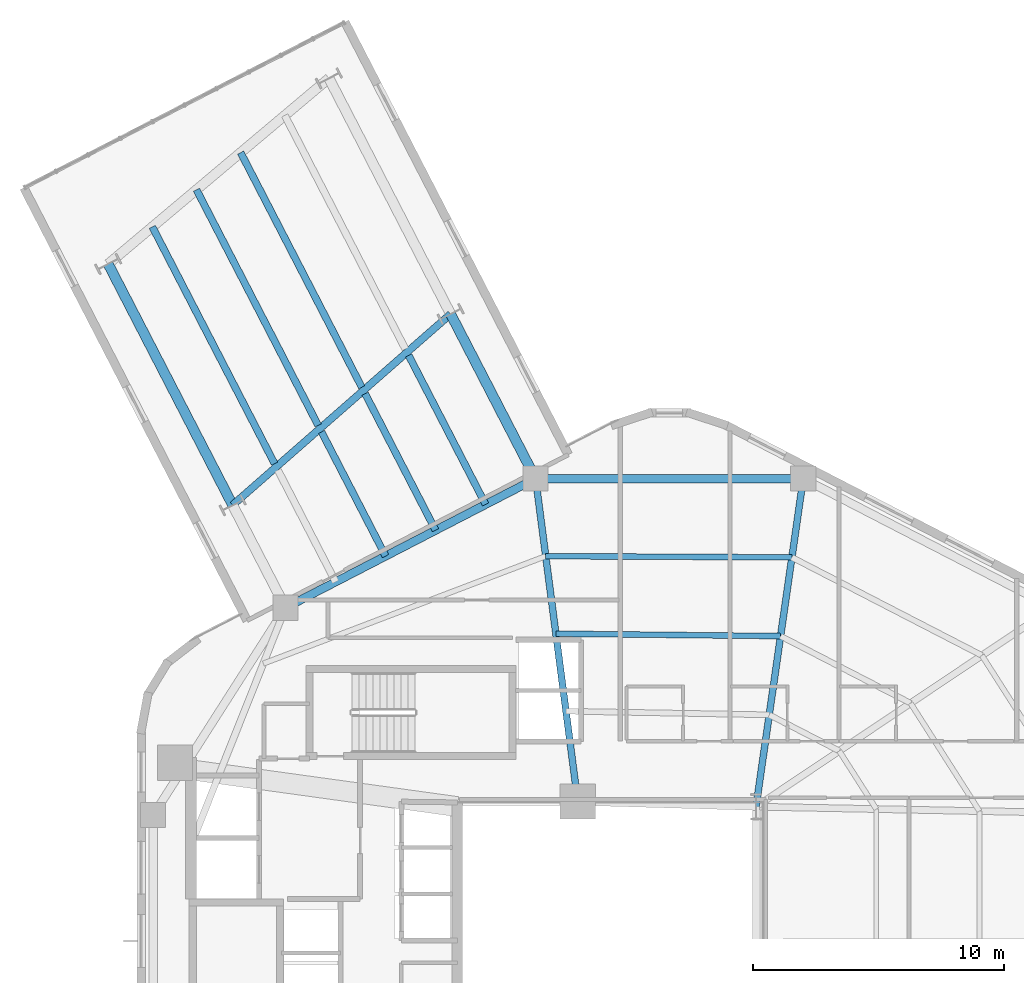
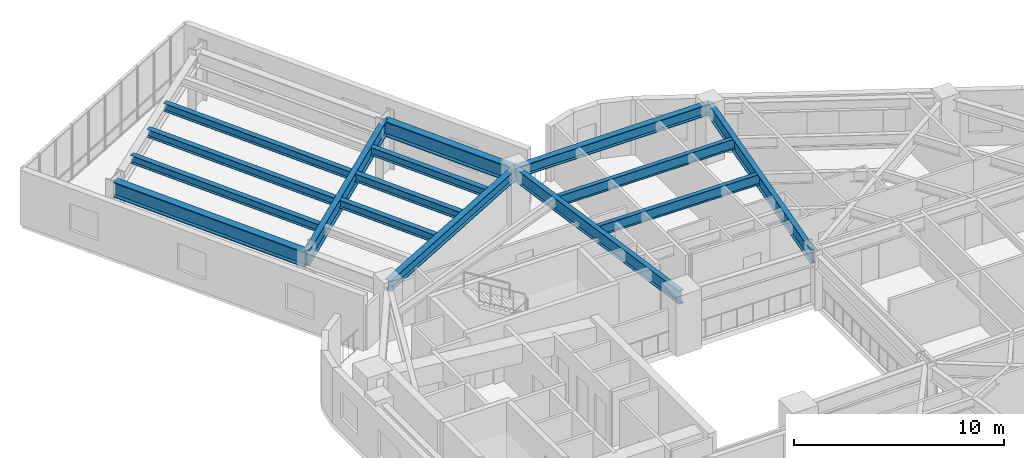
# One storey, part 2 of 11: 15 beams.
"""IFC4 building model written with IfcOpenShell, lengths in metres."""

from ifc_helpers import new_model, si_unit, direction, frame, origin, origin_2d, place, context, subcontext, project, spatial, i_section, extrude, material, material_profile, profile_set, type_object, element, save


model = new_model("IFC4")

# Units and contexts
model_context = context("Model", 3, precision=1e-05, world=origin(), true_north=direction((0.0, 1.0)))
body_context = subcontext(model_context, "Body", "Model", "MODEL_VIEW")
ifc_project = project(units=[si_unit("LENGTHUNIT", "METRE"), si_unit("AREAUNIT", "SQUARE_METRE"), si_unit("VOLUMEUNIT", "CUBIC_METRE"), si_unit("PLANEANGLEUNIT", "RADIAN"), si_unit("MASSUNIT", "GRAM", prefix="KILO"), si_unit("THERMODYNAMICTEMPERATUREUNIT", "KELVIN"), si_unit("POWERUNIT", "WATT")], contexts=[model_context])

# Site, building, storey
site_placement = place(None, origin())
site = spatial("IfcSite", under=ifc_project, at=site_placement, CompositionType="ELEMENT")
building_placement = place(site_placement, origin())
building = spatial("IfcBuilding", under=site, at=building_placement, Name="Skarre Station Tower", CompositionType="ELEMENT")
storey_placement = place(building_placement, frame((0.0, 0.0, 146.39990234375)))
storey = spatial("IfcBuildingStorey", under=building, at=storey_placement, Name="L39", CompositionType="ELEMENT", Elevation=146.39990234375)

# Beams
ifc_material = material(Name="Steel ASTM A992 Grade 50", Category="steel")
ifc_material_profile_1 = material_profile(ifc_material, i_section(OverallWidth=0.26806640625, OverallDepth=0.77001953125, WebThickness=0.01611328125, FlangeThickness=0.02490234375, at=origin_2d()), Name="Steel ASTM A992 Grade 50")
ifc_profile_set_1 = profile_set([ifc_material_profile_1], Name="Steel ASTM A992 Grade 50")
beam_type_1 = type_object("IfcBeamType", Name="Steel Beam W30X132", PredefinedType="BEAM", material=ifc_profile_set_1)
beam_1_placement = place(storey_placement, frame((39.449951171875, 29.35009765625, 2.80517578125), z_axis=(0.142480121776, 0.989797663616, 0.0), x_axis=(-0.989797663616, 0.142480121776, 0.0)))
element("IfcBeam", 1, at=beam_1_placement, inside=storey, type_object=beam_type_1, Name="L39 Radial Floor Girder F0C2", PredefinedType="BEAM", context=body_context, shape_type="SweptSolid", body=[
    extrude(i_section(OverallWidth=0.26806640625, OverallDepth=0.77001953125, WebThickness=0.01611328125, FlangeThickness=0.02490234375, at=origin_2d()), origin(), (0.0, 0.0, 1.0), 13.20263671875),
])
beam_2_placement = place(storey_placement, frame((32.35009765625, 29.550048828125, 2.80517578125), z_axis=(-0.129545878778, 0.991573429097, 0.0), x_axis=(-0.991573429097, -0.129545878778, 0.0)))
element("IfcBeam", 2, at=beam_2_placement, inside=storey, type_object=beam_type_1, Name="L39 Radial Floor Girder F1C1", PredefinedType="BEAM", context=body_context, shape_type="SweptSolid", body=[
    extrude(i_section(OverallWidth=0.26806640625, OverallDepth=0.77001953125, WebThickness=0.01611328125, FlangeThickness=0.02490234375, at=origin_2d()), origin(), (0.0, 0.0, 1.0), 12.977294921875),
])
ifc_material_profile_2 = material_profile(ifc_material, i_section(OverallWidth=0.2919921875, OverallDepth=0.85888671875, WebThickness=0.01708984375, FlangeThickness=0.031005859375, at=origin_2d()), Name="Steel ASTM A992 Grade 50")
ifc_profile_set_2 = profile_set([ifc_material_profile_2], Name="Steel ASTM A992 Grade 50")
beam_type_2 = type_object("IfcBeamType", Name="Steel Beam W33X169", PredefinedType="BEAM", material=ifc_profile_set_2)
beam_3_placement = place(storey_placement, frame((27.283935546875, 48.97607421875, 2.736083984375), z_axis=(-0.752067015166, -0.659086644303, 0.0), x_axis=(0.659086644303, -0.752067015166, 0.0)))
element("IfcBeam", 3, at=beam_3_placement, inside=storey, type_object=beam_type_2, Name="L39 SB-3 Mid Transverse Girder", PredefinedType="BEAM", context=body_context, shape_type="SweptSolid", body=[
    extrude(i_section(OverallWidth=0.2919921875, OverallDepth=0.85888671875, WebThickness=0.01708984375, FlangeThickness=0.031005859375, at=origin_2d()), origin(), (0.0, 0.0, 1.0), 11.5478515625),
])
ifc_material_profile_3 = material_profile(ifc_material, i_section(OverallWidth=0.40087890625, OverallDepth=0.876953125, WebThickness=0.02197265625, FlangeThickness=0.0400390625, at=origin_2d()), Name="Steel ASTM A992 Grade 50")
ifc_profile_set_3 = profile_set([ifc_material_profile_3], Name="Steel ASTM A992 Grade 50")
beam_type_3 = type_object("IfcBeamType", Name="Steel Beam W33X263", PredefinedType="BEAM", material=ifc_profile_set_3)
beam_4_placement = place(storey_placement, frame((30.6689453125, 42.41796875, 2.72607421875), z_axis=(-0.45866230048, 0.88861065384, 0.0), x_axis=(-0.88861065384, -0.45866230048, 0.0)))
element("IfcBeam", 4, at=beam_4_placement, inside=storey, type_object=beam_type_3, Name="L39 SB-3 Side 1 Inner Girder", PredefinedType="BEAM", context=body_context, shape_type="SweptSolid", body=[
    extrude(i_section(OverallWidth=0.40087890625, OverallDepth=0.876953125, WebThickness=0.02197265625, FlangeThickness=0.0400390625, at=origin_2d()), origin(), (0.0, 0.0, 1.0), 7.380126953125),
])
beam_5_placement = place(storey_placement, frame((18.59912109375, 41.364990234375, 2.72607421875), z_axis=(-0.458686644601, 0.888598088038, 0.0), x_axis=(-0.888598088038, -0.458686644601, 0.0)))
element("IfcBeam", 5, at=beam_5_placement, inside=storey, type_object=beam_type_3, Name="L39 SB-3 Side 2 Outer Girder", PredefinedType="BEAM", context=body_context, shape_type="SweptSolid", body=[
    extrude(i_section(OverallWidth=0.40087890625, OverallDepth=0.876953125, WebThickness=0.02197265625, FlangeThickness=0.0400390625, at=origin_2d()), origin(), (0.0, 0.0, 1.0), 10.80908203125),
])
ifc_material_profile_4 = material_profile(ifc_material, i_section(OverallWidth=0.280029296875, OverallDepth=0.462890625, WebThickness=0.010986328125, FlangeThickness=0.01708984375, at=origin_2d()), Name="Steel ASTM A992 Grade 50")
ifc_profile_set_4 = profile_set([ifc_material_profile_4], Name="Steel ASTM A992 Grade 50")
beam_type_4 = type_object("IfcBeamType", Name="Steel Joist W18X76", PredefinedType="JOIST", material=ifc_profile_set_4)
beam_6_placement = place(storey_placement, frame((28.677001953125, 41.389892578125, 2.93310546875), z_axis=(-0.458667124225, 0.888608164016, 0.0), x_axis=(-0.888608164016, -0.458667124225, 0.0)))
element("IfcBeam", 6, at=beam_6_placement, inside=storey, type_object=beam_type_4, Name="L39 SB-3 Inner Deck Joist 1", PredefinedType="JOIST", context=body_context, shape_type="SweptSolid", body=[
    extrude(i_section(OverallWidth=0.280029296875, OverallDepth=0.462890625, WebThickness=0.010986328125, FlangeThickness=0.01708984375, at=origin_2d()), origin(), (0.0, 0.0, 1.0), 6.68017578125),
])
beam_7_placement = place(storey_placement, frame((26.68505859375, 40.362060546875, 2.93310546875), z_axis=(-0.458689630603, 0.888596546683, 0.0), x_axis=(-0.888596546683, -0.458689630603, 0.0)))
element("IfcBeam", 7, at=beam_7_placement, inside=storey, type_object=beam_type_4, Name="L39 SB-3 Inner Deck Joist 2", PredefinedType="JOIST", context=body_context, shape_type="SweptSolid", body=[
    extrude(i_section(OverallWidth=0.280029296875, OverallDepth=0.462890625, WebThickness=0.010986328125, FlangeThickness=0.01708984375, at=origin_2d()), origin(), (0.0, 0.0, 1.0), 6.1240234375),
])
beam_8_placement = place(storey_placement, frame((23.743896484375, 46.06005859375, 2.93310546875), z_axis=(-0.458695526127, 0.888593503415, 0.0), x_axis=(-0.888593503415, -0.458695526127, 0.0)))
element("IfcBeam", 8, at=beam_8_placement, inside=storey, type_object=beam_type_4, Name="L39 SB-3 Outer Deck Joist 2", PredefinedType="JOIST", context=body_context, shape_type="SweptSolid", body=[
    extrude(i_section(OverallWidth=0.280029296875, OverallDepth=0.462890625, WebThickness=0.010986328125, FlangeThickness=0.01708984375, at=origin_2d()), origin(), (0.0, 0.0, 1.0), 10.52099609375),
])
beam_9_placement = place(storey_placement, frame((24.693115234375, 39.3330078125, 2.93310546875), z_axis=(-0.458698759965, 0.888591834087, 0.0), x_axis=(-0.888591834087, -0.458698759965, 0.0)))
element("IfcBeam", 9, at=beam_9_placement, inside=storey, type_object=beam_type_4, Name="L39 SB-3 Inner Deck Joist 3", PredefinedType="JOIST", context=body_context, shape_type="SweptSolid", body=[
    extrude(i_section(OverallWidth=0.280029296875, OverallDepth=0.462890625, WebThickness=0.010986328125, FlangeThickness=0.01708984375, at=origin_2d()), origin(), (0.0, 0.0, 1.0), 5.568359375),
])
beam_10_placement = place(storey_placement, frame((22.007080078125, 44.537109375, 2.93310546875), z_axis=(-0.458698227209, 0.8885921091, 0.0), x_axis=(-0.8885921091, -0.458698227209, 0.0)))
element("IfcBeam", 10, at=beam_10_placement, inside=storey, type_object=beam_type_4, Name="L39 SB-3 Outer Deck Joist 3", PredefinedType="JOIST", context=body_context, shape_type="SweptSolid", body=[
    extrude(i_section(OverallWidth=0.280029296875, OverallDepth=0.462890625, WebThickness=0.010986328125, FlangeThickness=0.01708984375, at=origin_2d()), origin(), (0.0, 0.0, 1.0), 10.5693359375),
])
beam_11_placement = place(storey_placement, frame((20.27001953125, 43.014892578125, 2.93310546875), z_axis=(-0.458673375905, 0.888604937098, 0.0), x_axis=(-0.888604937098, -0.458673375905, 0.0)))
element("IfcBeam", 11, at=beam_11_placement, inside=storey, type_object=beam_type_4, Name="L39 SB-3 Outer Deck Joist 4", PredefinedType="JOIST", context=body_context, shape_type="SweptSolid", body=[
    extrude(i_section(OverallWidth=0.280029296875, OverallDepth=0.462890625, WebThickness=0.010986328125, FlangeThickness=0.01708984375, at=origin_2d()), origin(), (0.0, 0.0, 1.0), 10.617919921875),
])
ifc_material_profile_5 = material_profile(ifc_material, i_section(OverallWidth=0.22802734375, OverallDepth=0.60791015625, WebThickness=0.010986328125, FlangeThickness=0.01708984375, at=origin_2d()), Name="Steel ASTM A992 Grade 50")
ifc_profile_set_5 = profile_set([ifc_material_profile_5], Name="Steel ASTM A992 Grade 50")
beam_type_5 = type_object("IfcBeamType", Name="Steel Joist W24X76", PredefinedType="JOIST", material=ifc_profile_set_5)
beam_12_placement = place(storey_placement, frame((40.427978515625, 36.14501953125, 2.885986328125), z_axis=(-0.999942566282, 0.010717468802, 0.0), x_axis=(-0.010717468802, -0.999942566282, 0.0)))
element("IfcBeam", 12, at=beam_12_placement, inside=storey, type_object=beam_type_5, Name="L39 Secondary Floor Joist 5", PredefinedType="JOIST", context=body_context, shape_type="SweptSolid", body=[
    extrude(i_section(OverallWidth=0.22802734375, OverallDepth=0.60791015625, WebThickness=0.010986328125, FlangeThickness=0.01708984375, at=origin_2d()), origin(), (0.0, 0.0, 1.0), 8.952392578125),
])
beam_13_placement = place(storey_placement, frame((40.8798828125, 39.281982421875, 2.885986328125), z_axis=(-0.999987976633, 0.004903732143, 0.0), x_axis=(-0.004903732143, -0.999987976633, 0.0)))
element("IfcBeam", 13, at=beam_13_placement, inside=storey, type_object=beam_type_5, Name="L39 Secondary Floor Joist 6", PredefinedType="JOIST", context=body_context, shape_type="SweptSolid", body=[
    extrude(i_section(OverallWidth=0.22802734375, OverallDepth=0.60791015625, WebThickness=0.010986328125, FlangeThickness=0.01708984375, at=origin_2d()), origin(), (0.0, 0.0, 1.0), 9.807861328125),
])
ifc_material_profile_6 = material_profile(ifc_material, i_section(OverallWidth=0.327880859375, OverallDepth=0.6279296875, WebThickness=0.01708984375, FlangeThickness=0.028076171875, at=origin_2d()), Name="Steel ASTM A992 Grade 50")
ifc_profile_set_6 = profile_set([ifc_material_profile_6], Name="Steel ASTM A992 Grade 50")
beam_type_6 = type_object("IfcBeamType", Name="Steel Spandrel W24X146", PredefinedType="SPANDREL", material=ifc_profile_set_6)
beam_14_placement = place(storey_placement, frame((41.3310546875, 42.41796875, 2.8759765625), z_axis=(-1.0, 0.0, 0.0), x_axis=(0.0, -1.0, 0.0)))
element("IfcBeam", 14, at=beam_14_placement, inside=storey, type_object=beam_type_6, Name="L39 Facet Spandrel Beam 2", PredefinedType="SPANDREL", context=body_context, shape_type="SweptSolid", body=[
    extrude(i_section(OverallWidth=0.327880859375, OverallDepth=0.6279296875, WebThickness=0.01708984375, FlangeThickness=0.028076171875, at=origin_2d()), origin(), (0.0, 0.0, 1.0), 10.662109375),
])
beam_15_placement = place(storey_placement, frame((30.6689453125, 42.41796875, 2.8759765625), z_axis=(-0.888611779493, -0.458660119639, 0.0), x_axis=(0.458660119639, -0.888611779493, 0.0)))
element("IfcBeam", 15, at=beam_15_placement, inside=storey, type_object=beam_type_6, Name="L39 Facet Spandrel Beam 3", PredefinedType="SPANDREL", context=body_context, shape_type="SweptSolid", body=[
    extrude(i_section(OverallWidth=0.327880859375, OverallDepth=0.6279296875, WebThickness=0.01708984375, FlangeThickness=0.028076171875, at=origin_2d()), origin(), (0.0, 0.0, 1.0), 11.20849609375),
])

save(model, "model.ifc")
